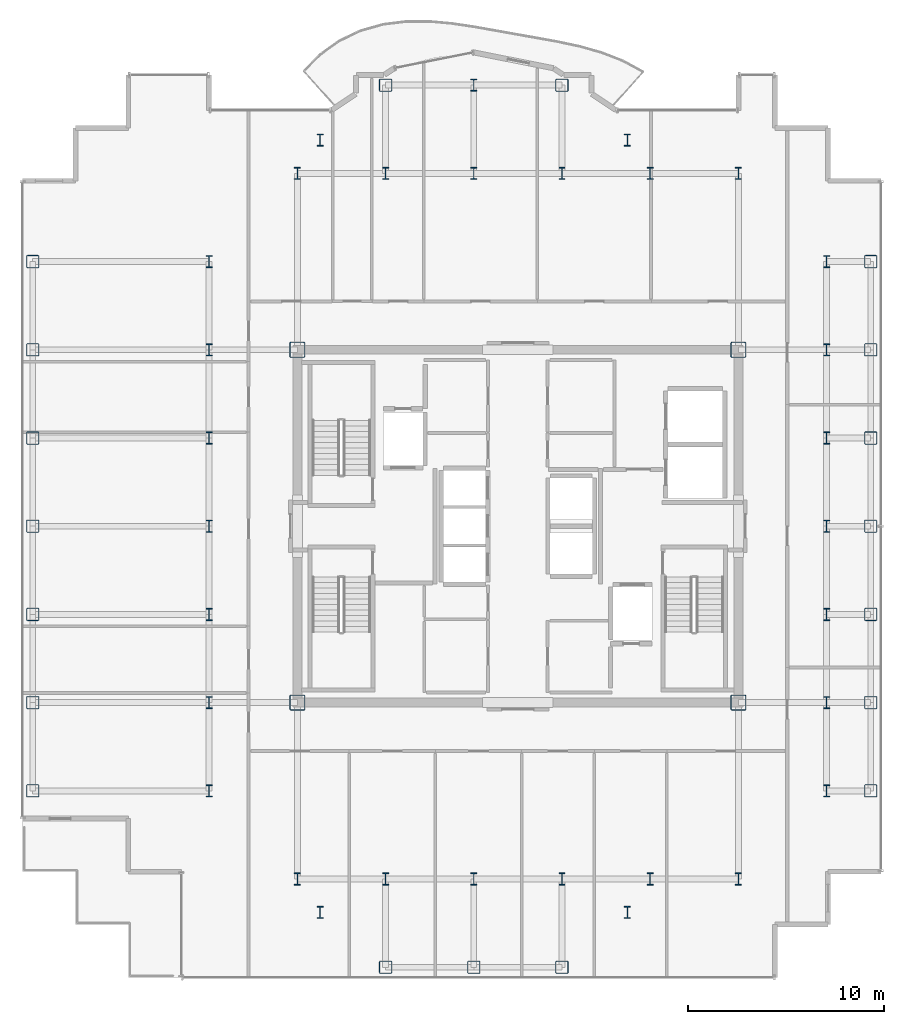
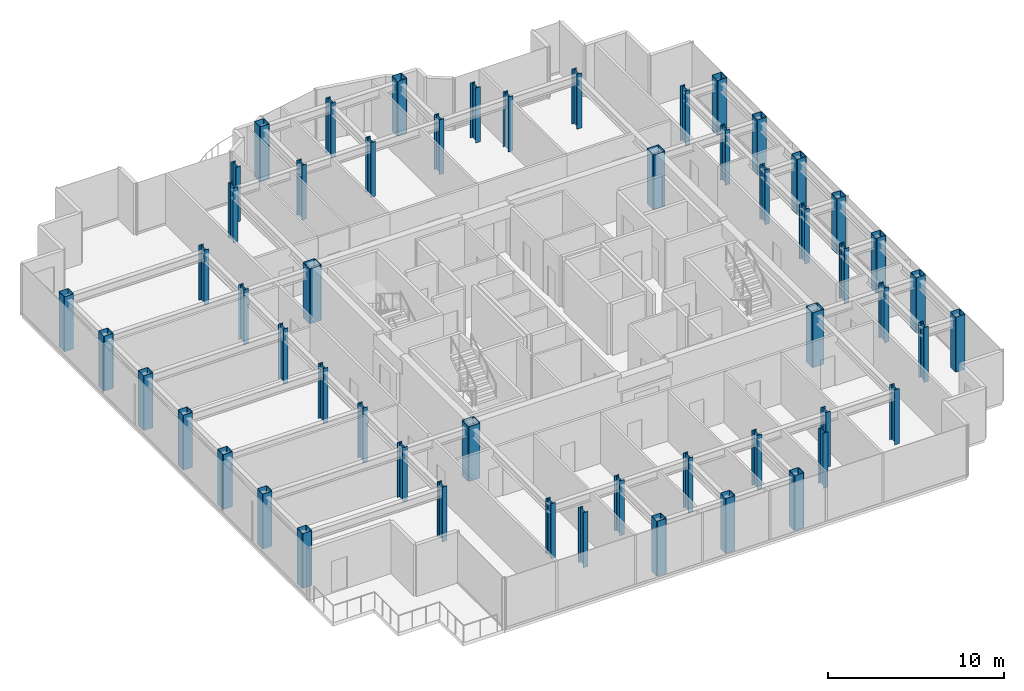
# One storey, part 1 of 17: 54 columns.
"""IFC4 building model written with IfcOpenShell, lengths in metres."""

import ifcopenshell
import ifcopenshell.guid

model = None  # the IFC model being written
_history = None  # IfcOwnerHistory: only IFC2X3 demands one
_inside = {}  # id of a spatial element -> (the spatial element, [elements in it])
_under = {}  # id of a project, library or spatial element -> (it, [spatial elements below it])
_declared = {}  # id of a project -> (the project, [libraries it declares])
_typed = {}  # id of a type object -> (the type object, [elements of that type])
_made_of = {}  # id of a material, layer set ... -> (it, [elements and type objects made of it])


def new_model(schema):
    """Start an empty IFC model of exactly this schema.

    Asked for "IFC4X3", IfcOpenShell would pick the latest addendum, in which some entities
    have other attributes; the version numbers below select the first issue.
    IFC2X3 requires an IfcOwnerHistory on every rooted entity: one is made here for all.
    """
    global model, _history
    if schema == "IFC4X3":
        model = ifcopenshell.file(schema_version=(4, 3, 0, 0))
    else:
        model = ifcopenshell.file(schema=schema)
    _inside.clear()
    _under.clear()
    _declared.clear()
    _typed.clear()
    _made_of.clear()
    _history = None
    if model.schema == "IFC2X3":
        org = make("IfcOrganization", Name="unknown")
        user = make(
            "IfcPersonAndOrganization",
            ThePerson=make("IfcPerson", FamilyName="unknown"),
            TheOrganization=org,
        )
        app = make(
            "IfcApplication",
            ApplicationDeveloper=org,
            Version="unknown",
            ApplicationFullName="unknown",
            ApplicationIdentifier="unknown",
        )
        _history = make(
            "IfcOwnerHistory",
            OwningUser=user,
            OwningApplication=app,
            ChangeAction="ADDED",
            CreationDate=0,
        )
    return model


def make(cls, **values):
    """One entity of the class cls with the attributes given. An attribute that is None is left unset."""
    return model.create_entity(
        cls, **{name: value for name, value in values.items() if value is not None}
    )


def rooted(cls, **values):
    """An entity with a GlobalId (a new one), such as an element, a storey or a relation."""
    return make(cls, GlobalId=ifcopenshell.guid.new(), OwnerHistory=_history, **values)


def si_unit(unit_type, name, prefix=None):
    """IfcSIUnit, for example si_unit("LENGTHUNIT", "METRE", prefix="MILLI")."""
    return make("IfcSIUnit", UnitType=unit_type, Prefix=prefix, Name=name)


def assignment(units):
    """IfcUnitAssignment: the units of a project."""
    return None if units is None else make("IfcUnitAssignment", Units=units)


def point(xyz):
    """IfcCartesianPoint."""
    return None if xyz is None else make("IfcCartesianPoint", Coordinates=xyz)


def direction(xyz):
    """IfcDirection."""
    return None if xyz is None else make("IfcDirection", DirectionRatios=xyz)


def frame(location, z_axis=None, x_axis=None):
    """IfcAxis2Placement3D, a coordinate frame: its origin and axes. An axis left out is left unset."""
    return make(
        "IfcAxis2Placement3D",
        Location=point(location),
        Axis=direction(z_axis),
        RefDirection=direction(x_axis),
    )


def frame_2d(location, x_axis=None):
    """IfcAxis2Placement2D, a coordinate frame in the plane: its origin and x axis."""
    return make(
        "IfcAxis2Placement2D", Location=point(location), RefDirection=direction(x_axis)
    )


def origin():
    """The frame at (0, 0, 0) with its axes left unset."""
    return frame((0.0, 0.0, 0.0))


def origin_2d():
    """The frame at (0, 0) in the plane with its x axis left unset."""
    return frame_2d((0.0, 0.0))


def place(relative_to, where):
    """IfcLocalPlacement: puts the frame where relative to a parent placement (None: the world)."""
    return make(
        "IfcLocalPlacement", PlacementRelTo=relative_to, RelativePlacement=where
    )


def context(
    kind, dimensions, precision=None, world=None, true_north=None, identifier=None
):
    """IfcGeometricRepresentationContext, for example the 3D "Model" context."""
    return make(
        "IfcGeometricRepresentationContext",
        ContextIdentifier=identifier,
        ContextType=kind,
        CoordinateSpaceDimension=dimensions,
        Precision=precision,
        WorldCoordinateSystem=world,
        TrueNorth=true_north,
    )


def subcontext(parent, identifier, kind, view, scale=None):
    """IfcGeometricRepresentationSubContext, for example "Body" below "Model"."""
    return make(
        "IfcGeometricRepresentationSubContext",
        ContextIdentifier=identifier,
        ContextType=kind,
        ParentContext=parent,
        TargetScale=scale,
        TargetView=view,
    )


def project(units=None, contexts=None):
    """IfcProject with its units and contexts."""
    return rooted(
        "IfcProject",
        Name="project",
        RepresentationContexts=contexts,
        UnitsInContext=assignment(units),
    )


def spatial(cls, under=None, at=None, **own):
    """A site, building, storey or space (cls), placed at a placement, below another one or the project."""
    s = rooted(cls, ObjectPlacement=at, **own)
    if under is not None:
        _under.setdefault(under.id(), (under, []))[1].append(s)
    return s


def profile(cls, at=None, kind="AREA", **sizes):
    """A parametric profile (cls). Its sizes go by their IFC names, for example OverallWidth=200.0."""
    return make(cls, ProfileType=kind, Position=at, **sizes)


def hollow_rectangle(**sizes):
    """IfcRectangleHollowProfileDef."""
    return profile("IfcRectangleHollowProfileDef", **sizes)


def i_section(**sizes):
    """IfcIShapeProfileDef."""
    return profile("IfcIShapeProfileDef", **sizes)


def extrude(swept, where, along, depth):
    """IfcExtrudedAreaSolid: the profile swept, set in the frame where, extruded along a direction by depth."""
    return make(
        "IfcExtrudedAreaSolid",
        SweptArea=swept,
        Position=where,
        ExtrudedDirection=direction(along),
        Depth=depth,
    )


def shape(context_of_items, identifier, shape_type, items):
    """IfcShapeRepresentation: the items that make up one representation, for example the "Body"."""
    return make(
        "IfcShapeRepresentation",
        ContextOfItems=context_of_items,
        RepresentationIdentifier=identifier,
        RepresentationType=shape_type,
        Items=items,
    )


def source(mapping_origin, context_of_items, identifier, shape_type, items):
    """IfcRepresentationMap: a shape defined once, which mapped items show again and again."""
    return make(
        "IfcRepresentationMap",
        MappingOrigin=mapping_origin,
        MappedRepresentation=shape(context_of_items, identifier, shape_type, items),
    )


def transform(
    local_origin,
    x_axis=None,
    y_axis=None,
    z_axis=None,
    scale=None,
    scale2=None,
    scale3=None,
    uniform=True,
):
    """IfcCartesianTransformationOperator3D, or its non-uniform kind. x_axis, y_axis, z_axis: its Axis1, 2, 3."""
    if uniform:
        return make(
            "IfcCartesianTransformationOperator3D",
            Axis1=direction(x_axis),
            Axis2=direction(y_axis),
            LocalOrigin=point(local_origin),
            Scale=scale,
            Axis3=direction(z_axis),
        )
    return make(
        "IfcCartesianTransformationOperator3DnonUniform",
        Axis1=direction(x_axis),
        Axis2=direction(y_axis),
        LocalOrigin=point(local_origin),
        Scale=scale,
        Axis3=direction(z_axis),
        Scale2=scale2,
        Scale3=scale3,
    )


def mapped(mapping_source, mapping_target):
    """IfcMappedItem: shows the shape of a source again, moved by a transform."""
    return make(
        "IfcMappedItem", MappingSource=mapping_source, MappingTarget=mapping_target
    )


def material(Name=None, Category=None):
    """IfcMaterial."""
    return make("IfcMaterial", Name=Name, Category=Category)


def material_profile(
    of_material, cross_section, Name=None, Category=None, Priority=None
):
    """IfcMaterialProfile: a cross section and its material."""
    return make(
        "IfcMaterialProfile",
        Name=Name,
        Material=of_material,
        Profile=cross_section,
        Priority=Priority,
        Category=Category,
    )


def profile_set(profiles, Name=None, composite=None):
    """IfcMaterialProfileSet."""
    return make(
        "IfcMaterialProfileSet",
        Name=Name,
        MaterialProfiles=profiles,
        CompositeProfile=composite,
    )


def made_of(thing, what):
    """Note that an element or type object is made of a material, layer set ...; save() writes the relation."""
    if what is not None:
        _made_of.setdefault(what.id(), (what, []))[1].append(thing)
    return thing


def type_object(cls, material=None, **own):
    """A type object (cls), such as IfcWallType, which elements share."""
    return made_of(rooted(cls, **own), material)


def element(
    cls,
    number,
    at=None,
    inside=None,
    cuts=None,
    type_object=None,
    material=None,
    context=None,
    identifier="Body",
    shape_type=None,
    held_by="IfcProductDefinitionShape",
    body=None,
    shapes=None,
    **own,
):
    """One element of the class cls, such as IfcWall. Its Tag is "e" and its number.

    at: its placement. inside: the storey or other place that contains it. cuts: it is an
    opening in that element (IfcRelVoidsElement). A single representation is given by context,
    identifier, shape_type and body (its items); several are given by shapes. held_by: the class
    of the entity that holds the representations. save() writes the other relations.
    """
    e = rooted(cls, Tag="e%d" % number, ObjectPlacement=at, **own)
    if body is not None:
        shapes = [shape(context, identifier, shape_type, body)]
    if shapes is not None:
        e.Representation = make(held_by, Representations=shapes)
    if inside is not None:
        _inside.setdefault(inside.id(), (inside, []))[1].append(e)
    if cuts is not None:
        rooted(
            "IfcRelVoidsElement", RelatingBuildingElement=cuts, RelatedOpeningElement=e
        )
    if type_object is not None:
        _typed.setdefault(type_object.id(), (type_object, []))[1].append(e)
    return made_of(e, material)


def aggregate(whole, parts):
    """IfcRelAggregates: a whole, such as a stair, and the parts it consists of."""
    return rooted("IfcRelAggregates", RelatingObject=whole, RelatedObjects=parts)


def save(model, path):
    """Write the relations noted so far, then the file.

    IfcRelAggregates (storeys below a building ...), IfcRelContainedInSpatialStructure (elements
    in a storey), IfcRelDefinesByType, IfcRelAssociatesMaterial and IfcRelDeclares: one each for
    every whole, place, type object, material and project.
    """
    for whole, parts in _under.values():
        aggregate(whole, parts)
    for where, things in _inside.values():
        rooted(
            "IfcRelContainedInSpatialStructure",
            RelatedElements=things,
            RelatingStructure=where,
        )
    for kind, things in _typed.values():
        rooted("IfcRelDefinesByType", RelatedObjects=things, RelatingType=kind)
    for what, things in _made_of.values():
        rooted("IfcRelAssociatesMaterial", RelatedObjects=things, RelatingMaterial=what)
    for by, libraries in _declared.values():
        rooted("IfcRelDeclares", RelatingContext=by, RelatedDefinitions=libraries)
    model.write(path)


model = new_model("IFC4")

# Units and contexts
model_context = context("Model", 3, precision=1e-05, world=origin(), true_north=direction((0.0, 1.0)))
body_context = subcontext(model_context, "Body", "Model", "MODEL_VIEW")
ifc_project = project(units=[si_unit("LENGTHUNIT", "METRE"), si_unit("AREAUNIT", "SQUARE_METRE"), si_unit("VOLUMEUNIT", "CUBIC_METRE"), si_unit("PLANEANGLEUNIT", "RADIAN"), si_unit("MASSUNIT", "GRAM", prefix="KILO")], contexts=[model_context])

# Site, building, storey
site_placement = place(None, origin())
site = spatial("IfcSite", under=ifc_project, at=site_placement, CompositionType="ELEMENT")
building_placement = place(site_placement, origin())
building = spatial("IfcBuilding", under=site, at=building_placement, Name="Nefas-Gora Pilgrimage Tower", CompositionType="ELEMENT")
storey_placement = place(building_placement, frame((0.0, 0.0, 279.800048828125)))
storey = spatial("IfcBuildingStorey", under=building, at=storey_placement, Name="L70", CompositionType="ELEMENT", Elevation=279.800048828125)

# Columns
ifc_material_1 = material(Name="Steel S460", Category="steel")
ifc_material_profile_1 = material_profile(ifc_material_1, hollow_rectangle(XDim=0.800048828125, YDim=0.800048828125, WallThickness=0.0400390625, InnerFilletRadius=0.0400390625, OuterFilletRadius=0.080078125, at=origin_2d()), Name="BOX 800x800x40")
ifc_profile_set_1 = profile_set([ifc_material_profile_1], Name="Steel S460")
column_type_1 = type_object("IfcColumnType", Name="COL-CORE-800", PredefinedType="COLUMN", material=ifc_profile_set_1)
shared_shape_1 = source(origin(), body_context, "Body", "SweptSolid", [
    extrude(hollow_rectangle(XDim=0.800048828125, YDim=0.800048828125, WallThickness=0.0400390625, InnerFilletRadius=0.0400390625, OuterFilletRadius=0.080078125, at=origin_2d()), origin(), (0.0, 0.0, 1.0), 3.800048828125),
])
for number, where, z_axis, x_axis, name in (
    (1, (-11.25, -9.0, 0.0), (0.0, 0.0, 1.0), (1.0, 0.0, 0.0), "L70 Tower Column CC-Z2.16"),
    (2, (-11.25, 9.0, 0.0), (0.0, 0.0, 1.0), (1.0, 0.0, 0.0), "L70 Tower Column CC-Z2.17"),
    (3, (11.25, -9.0, 0.0), (0.0, 0.0, 1.0), (1.0, 0.0, 0.0), "L70 Tower Column CC-Z2.38"),
    (4, (11.25, 9.0, 0.0), (0.0, 0.0, 1.0), (1.0, 0.0, 0.0), "L70 Tower Column CC-Z2.39"),
):
    element("IfcColumn", number, at=place(storey_placement, frame(where, z_axis=z_axis, x_axis=x_axis)), inside=storey, type_object=column_type_1, Name=name, PredefinedType="COLUMN", context=body_context, shape_type="MappedRepresentation", body=[
        mapped(shared_shape_1, transform((0.0, 0.0, 0.0), x_axis=(1.0, 0.0, 0.0), y_axis=(0.0, 1.0, 0.0), z_axis=(0.0, 0.0, 1.0), scale=1.0)),
    ])
ifc_material_profile_2 = material_profile(ifc_material_1, hollow_rectangle(XDim=0.64990234375, YDim=0.64990234375, WallThickness=0.031982421875, InnerFilletRadius=0.031982421875, OuterFilletRadius=0.06396484375, at=origin_2d()), Name="BOX 650x650x32")
ifc_profile_set_2 = profile_set([ifc_material_profile_2], Name="Steel S460")
column_type_2 = type_object("IfcColumnType", Name="COL-TUBE-650", PredefinedType="COLUMN", material=ifc_profile_set_2)
shared_shape_2 = source(origin(), body_context, "Body", "SweptSolid", [
    extrude(hollow_rectangle(XDim=0.64990234375, YDim=0.64990234375, WallThickness=0.031982421875, InnerFilletRadius=0.031982421875, OuterFilletRadius=0.06396484375, at=origin_2d()), origin(), (0.0, 0.0, 1.0), 3.800048828125),
])
for number, where, z_axis, x_axis, name in (
    (5, (-24.75, -13.5, 0.0), (0.0, 0.0, 1.0), (1.0, 0.0, 0.0), "L70 Tower Column C-Z3.1"),
    (6, (-24.75, -9.0, 0.0), (0.0, 0.0, 1.0), (1.0, 0.0, 0.0), "L70 Tower Column C-Z3.2"),
    (7, (-24.75, -4.5, 0.0), (0.0, 0.0, 1.0), (1.0, 0.0, 0.0), "L70 Tower Column C-Z3.3"),
    (8, (-24.75, 0.0, 0.0), (0.0, 0.0, 1.0), (1.0, 0.0, 0.0), "L70 Tower Column C-Z3.4"),
    (9, (-24.75, 4.5, 0.0), (0.0, 0.0, 1.0), (1.0, 0.0, 0.0), "L70 Tower Column C-Z3.5"),
    (10, (-24.75, 9.0, 0.0), (0.0, 0.0, 1.0), (1.0, 0.0, 0.0), "L70 Tower Column C-Z3.6"),
    (11, (-24.75, 13.5, 0.0), (0.0, 0.0, 1.0), (1.0, 0.0, 0.0), "L70 Tower Column C-Z3.7"),
    (12, (-6.75, -22.5, 0.0), (0.0, 0.0, 1.0), (1.0, 0.0, 0.0), "L70 Tower Column C-Z3.21"),
    (13, (-6.75, 22.5, 0.0), (0.0, 0.0, 1.0), (1.0, 0.0, 0.0), "L70 Tower Column C-Z3.24"),
    (14, (-2.25, -22.5, 0.0), (0.0, 0.0, 1.0), (1.0, 0.0, 0.0), "L70 Tower Column C-Z3.25"),
    (15, (2.25, -22.5, 0.0), (0.0, 0.0, 1.0), (1.0, 0.0, 0.0), "L70 Tower Column C-Z3.29"),
    (16, (2.25, 22.5, 0.0), (0.0, 0.0, 1.0), (1.0, 0.0, 0.0), "L70 Tower Column C-Z3.32"),
    (17, (18.0, -13.5, 0.0), (0.0, 0.0, 1.0), (1.0, 0.0, 0.0), "L70 Tower Column C-Z3.48"),
    (18, (18.0, -9.0, 0.0), (0.0, 0.0, 1.0), (1.0, 0.0, 0.0), "L70 Tower Column C-Z3.49"),
    (19, (18.0, -4.5, 0.0), (0.0, 0.0, 1.0), (1.0, 0.0, 0.0), "L70 Tower Column C-Z3.50"),
    (20, (18.0, 0.0, 0.0), (0.0, 0.0, 1.0), (1.0, 0.0, 0.0), "L70 Tower Column C-Z3.51"),
    (21, (18.0, 4.5, 0.0), (0.0, 0.0, 1.0), (1.0, 0.0, 0.0), "L70 Tower Column C-Z3.52"),
    (22, (18.0, 9.0, 0.0), (0.0, 0.0, 1.0), (1.0, 0.0, 0.0), "L70 Tower Column C-Z3.53"),
    (23, (18.0, 13.5, 0.0), (0.0, 0.0, 1.0), (1.0, 0.0, 0.0), "L70 Tower Column C-Z3.54"),
):
    element("IfcColumn", number, at=place(storey_placement, frame(where, z_axis=z_axis, x_axis=x_axis)), inside=storey, type_object=column_type_2, Name=name, PredefinedType="COLUMN", context=body_context, shape_type="MappedRepresentation", body=[
        mapped(shared_shape_2, transform((0.0, 0.0, 0.0), x_axis=(1.0, 0.0, 0.0), y_axis=(0.0, 1.0, 0.0), z_axis=(0.0, 0.0, 1.0), scale=1.0)),
    ])
ifc_material_2 = material(Name="Steel S355", Category="steel")
ifc_material_profile_3 = material_profile(ifc_material_2, i_section(OverallWidth=0.304931640625, OverallDepth=0.6201171875, WebThickness=0.02099609375, FlangeThickness=0.0400390625, FilletRadius=0.027099609375, at=origin_2d()), Name="HEM 600")
ifc_profile_set_3 = profile_set([ifc_material_profile_3], Name="Steel S355")
column_type_3 = type_object("IfcColumnType", Name="COL-WEB-HEM600", PredefinedType="COLUMN", material=ifc_profile_set_3)
shared_shape_3 = source(origin(), body_context, "Body", "SweptSolid", [
    extrude(i_section(OverallWidth=0.304931640625, OverallDepth=0.6201171875, WebThickness=0.02099609375, FlangeThickness=0.0400390625, FilletRadius=0.027099609375, at=origin_2d()), origin(), (0.0, 0.0, 1.0), 3.800048828125),
])
for number, where, z_axis, x_axis, name in (
    (24, (-15.75, -13.5, 0.0), (0.0, 0.0, 1.0), (1.0, 0.0, 0.0), "L70 Tower Column CW-03.8"),
    (25, (-15.75, -9.0, 0.0), (0.0, 0.0, 1.0), (1.0, 0.0, 0.0), "L70 Tower Column CW-03.9"),
    (26, (-15.75, -4.5, 0.0), (0.0, 0.0, 1.0), (1.0, 0.0, 0.0), "L70 Tower Column CW-03.10"),
    (27, (-15.75, 0.0, 0.0), (0.0, 0.0, 1.0), (1.0, 0.0, 0.0), "L70 Tower Column CW-03.11"),
    (28, (-15.75, 4.5, 0.0), (0.0, 0.0, 1.0), (1.0, 0.0, 0.0), "L70 Tower Column CW-03.12"),
    (29, (-15.75, 9.0, 0.0), (0.0, 0.0, 1.0), (1.0, 0.0, 0.0), "L70 Tower Column CW-03.13"),
    (30, (-15.75, 13.5, 0.0), (0.0, 0.0, 1.0), (1.0, 0.0, 0.0), "L70 Tower Column CW-03.14"),
    (31, (-11.25, -18.0, 0.0), (0.0, 0.0, 1.0), (1.0, 0.0, 0.0), "L70 Tower Column CW-03.15"),
    (32, (-11.25, 18.0, 0.0), (0.0, 0.0, 1.0), (1.0, 0.0, 0.0), "L70 Tower Column CW-03.18"),
    (33, (-10.091064453125, -19.696044921875, 0.0), (0.0, 0.0, 1.0), (1.0, 0.0, 0.0), "L70 Tower Column CW-03.19"),
    (34, (-10.091064453125, 19.696044921875, 0.0), (0.0, 0.0, 1.0), (1.0, 0.0, 0.0), "L70 Tower Column CW-03.20"),
    (35, (-6.75, -18.0, 0.0), (0.0, 0.0, 1.0), (1.0, 0.0, 0.0), "L70 Tower Column CW-03.22"),
    (36, (-6.75, 18.0, 0.0), (0.0, 0.0, 1.0), (1.0, 0.0, 0.0), "L70 Tower Column CW-03.23"),
    (37, (-2.25, -18.0, 0.0), (0.0, 0.0, 1.0), (1.0, 0.0, 0.0), "L70 Tower Column CW-03.26"),
    (38, (-2.25, 18.0, 0.0), (0.0, 0.0, 1.0), (1.0, 0.0, 0.0), "L70 Tower Column CW-03.27"),
    (39, (-2.25, 22.5, 0.0), (0.0, 0.0, 1.0), (1.0, 0.0, 0.0), "L70 Tower Column CW-03.28"),
    (40, (2.25, -18.0, 0.0), (0.0, 0.0, 1.0), (1.0, 0.0, 0.0), "L70 Tower Column CW-03.30"),
    (41, (2.25, 18.0, 0.0), (0.0, 0.0, 1.0), (1.0, 0.0, 0.0), "L70 Tower Column CW-03.31"),
    (42, (5.591064453125, -19.696044921875, 0.0), (0.0, 0.0, 1.0), (1.0, 0.0, 0.0), "L70 Tower Column CW-03.33"),
    (43, (5.591064453125, 19.696044921875, 0.0), (0.0, 0.0, 1.0), (1.0, 0.0, 0.0), "L70 Tower Column CW-03.34"),
    (44, (6.75, -18.0, 0.0), (0.0, 0.0, 1.0), (1.0, 0.0, 0.0), "L70 Tower Column CW-03.35"),
    (45, (6.75, 18.0, 0.0), (0.0, 0.0, 1.0), (1.0, 0.0, 0.0), "L70 Tower Column CW-03.36"),
    (46, (11.25, -18.0, 0.0), (0.0, 0.0, 1.0), (1.0, 0.0, 0.0), "L70 Tower Column CW-03.37"),
    (47, (11.25, 18.0, 0.0), (0.0, 0.0, 1.0), (1.0, 0.0, 0.0), "L70 Tower Column CW-03.40"),
    (48, (15.75, -13.5, 0.0), (0.0, 0.0, 1.0), (1.0, 0.0, 0.0), "L70 Tower Column CW-03.41"),
    (49, (15.75, -9.0, 0.0), (0.0, 0.0, 1.0), (1.0, 0.0, 0.0), "L70 Tower Column CW-03.42"),
    (50, (15.75, -4.5, 0.0), (0.0, 0.0, 1.0), (1.0, 0.0, 0.0), "L70 Tower Column CW-03.43"),
    (51, (15.75, 0.0, 0.0), (0.0, 0.0, 1.0), (1.0, 0.0, 0.0), "L70 Tower Column CW-03.44"),
    (52, (15.75, 4.5, 0.0), (0.0, 0.0, 1.0), (1.0, 0.0, 0.0), "L70 Tower Column CW-03.45"),
    (53, (15.75, 9.0, 0.0), (0.0, 0.0, 1.0), (1.0, 0.0, 0.0), "L70 Tower Column CW-03.46"),
    (54, (15.75, 13.5, 0.0), (0.0, 0.0, 1.0), (1.0, 0.0, 0.0), "L70 Tower Column CW-03.47"),
):
    element("IfcColumn", number, at=place(storey_placement, frame(where, z_axis=z_axis, x_axis=x_axis)), inside=storey, type_object=column_type_3, Name=name, PredefinedType="COLUMN", context=body_context, shape_type="MappedRepresentation", body=[
        mapped(shared_shape_3, transform((0.0, 0.0, 0.0), x_axis=(1.0, 0.0, 0.0), y_axis=(0.0, 1.0, 0.0), z_axis=(0.0, 0.0, 1.0), scale=1.0)),
    ])

save(model, "model.ifc")
